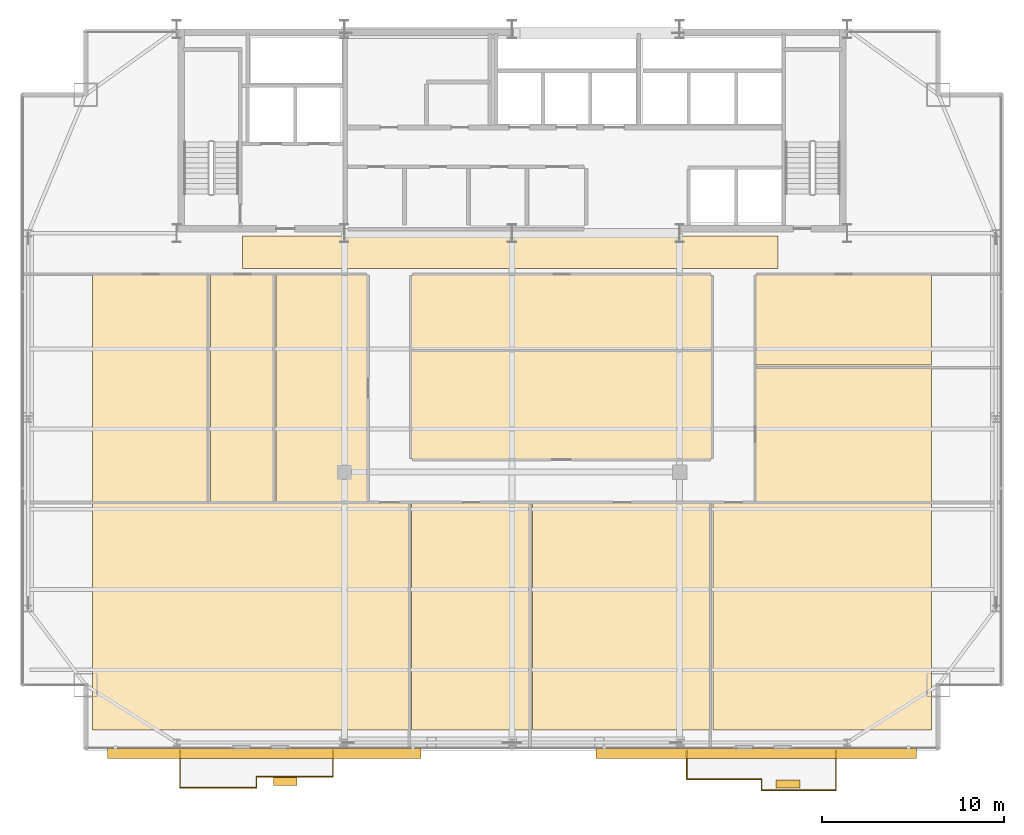
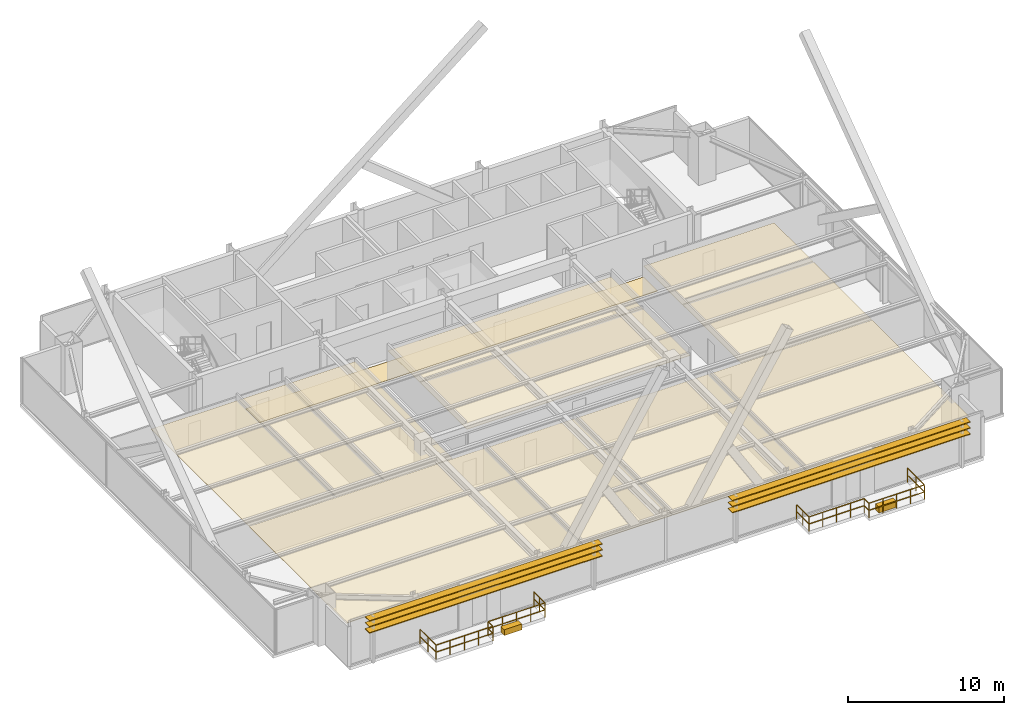
# One storey, part 33 of 34: 14 coverings, 10 railings, 6 shading devices.
"""IFC4 building model written with IfcOpenShell, lengths in metres."""

from ifc_helpers import new_model, si_unit, direction, frame, origin, origin_2d, place, context, subcontext, project, spatial, polyline, rectangle, outline, extrude, source, transform, mapped, material, layer, layer_set, type_object, type_shapes, element, save


model = new_model("IFC4")

# Units and contexts
model_context = context("Model", 3, precision=1e-05, world=origin(), true_north=direction((0.0, 1.0)))
body_context = subcontext(model_context, "Body", "Model", "MODEL_VIEW")
ifc_project = project(units=[si_unit("LENGTHUNIT", "METRE"), si_unit("AREAUNIT", "SQUARE_METRE"), si_unit("VOLUMEUNIT", "CUBIC_METRE"), si_unit("PLANEANGLEUNIT", "RADIAN"), si_unit("MASSUNIT", "GRAM", prefix="KILO")], contexts=[model_context])

# Site, building, storey
site_placement = place(None, origin())
site = spatial("IfcSite", under=ifc_project, at=site_placement, CompositionType="ELEMENT")
building_placement = place(site_placement, origin())
building = spatial("IfcBuilding", under=site, at=building_placement, Name="Varnel Quay Broadcast Tower", CompositionType="ELEMENT")
storey_placement = place(building_placement, frame((0.0, 0.0, 176.199951171875)))
storey = spatial("IfcBuildingStorey", under=building, at=storey_placement, Name="L43", CompositionType="ELEMENT", Elevation=176.199951171875)

# Coverings
ifc_material_1 = material(Name="Micro-Perforated Acoustic Ceiling Tile")
ifc_layer_1 = layer(ifc_material_1, 0.0400390625, Name="Micro-Perforated Acoustic Ceiling Tile")
ifc_layer_set_1 = layer_set([ifc_layer_1], Name="Micro-Perforated Acoustic Ceiling Tile")
covering_type_1 = type_object("IfcCoveringType", Name="Cov_AcousticCeiling", PredefinedType="CEILING", material=ifc_layer_set_1)
covering_1_placement = place(storey_placement, frame((0.0, 0.0, 2.580078125)))
element("IfcCovering", 1, at=covering_1_placement, inside=storey, type_object=covering_type_1, Name="L43 Producer Lounge 1 Acoustic Ceiling", PredefinedType="CEILING", context=body_context, shape_type="SweptSolid", body=[
    extrude(outline(polyline([(10.985107421875, 8.324951171875), (28.4150390625, 8.324951171875), (28.4150390625, 20.784912109375), (10.985107421875, 20.784912109375), (10.985107421875, 8.324951171875)])), origin(), (0.0, 0.0, 1.0), 0.0400390625),
])
covering_2_placement = place(storey_placement, frame((0.0, 0.0, 2.580078125)))
element("IfcCovering", 2, at=covering_2_placement, inside=storey, type_object=covering_type_1, Name="L43 Tea Kitchen 2 Acoustic Ceiling", PredefinedType="CEILING", context=body_context, shape_type="SweptSolid", body=[
    extrude(outline(polyline([(28.485107421875, 8.324951171875), (35.054931640625, 8.324951171875), (35.054931640625, 20.784912109375), (28.485107421875, 20.784912109375), (28.485107421875, 8.324951171875)])), origin(), (0.0, 0.0, 1.0), 0.0400390625),
])
covering_3_placement = place(storey_placement, frame((0.0, 0.0, 2.580078125)))
element("IfcCovering", 3, at=covering_3_placement, inside=storey, type_object=covering_type_1, Name="L43 Media Tape Archive Store 3 Acoustic Ceiling", PredefinedType="CEILING", context=body_context, shape_type="SweptSolid", body=[
    extrude(outline(polyline([(35.125, 8.324951171875), (44.955078125, 8.324951171875), (44.955078125, 20.784912109375), (35.125, 20.784912109375), (35.125, 8.324951171875)])), origin(), (0.0, 0.0, 1.0), 0.0400390625),
])
covering_4_placement = place(storey_placement, frame((0.0, 0.0, 2.580078125)))
element("IfcCovering", 4, at=covering_4_placement, inside=storey, type_object=covering_type_1, Name="L43 Lens & Rigging Store 4 Acoustic Ceiling", PredefinedType="CEILING", context=body_context, shape_type="SweptSolid", body=[
    extrude(outline(polyline([(45.02490234375, 8.324951171875), (57.014892578125, 8.324951171875), (57.014892578125, 20.784912109375), (45.02490234375, 20.784912109375), (45.02490234375, 8.324951171875)])), origin(), (0.0, 0.0, 1.0), 0.0400390625),
])
covering_5_placement = place(storey_placement, frame((0.0, 0.0, 2.580078125)))
element("IfcCovering", 5, at=covering_5_placement, inside=storey, type_object=covering_type_1, Name="L43 Ingest Vault Store 5 Acoustic Ceiling", PredefinedType="CEILING", context=body_context, shape_type="SweptSolid", body=[
    extrude(outline(polyline([(10.985107421875, 20.85498046875), (17.375, 20.85498046875), (17.375, 33.31494140625), (10.985107421875, 33.31494140625), (10.985107421875, 20.85498046875)])), origin(), (0.0, 0.0, 1.0), 0.0400390625),
])
covering_6_placement = place(storey_placement, frame((0.0, 0.0, 2.580078125)))
element("IfcCovering", 6, at=covering_6_placement, inside=storey, type_object=covering_type_1, Name="L43 Color Timing Suite 6 Acoustic Ceiling", PredefinedType="CEILING", context=body_context, shape_type="SweptSolid", body=[
    extrude(outline(polyline([(17.445068359375, 20.85498046875), (20.985107421875, 20.85498046875), (20.985107421875, 33.31494140625), (17.445068359375, 33.31494140625), (17.445068359375, 20.85498046875)])), origin(), (0.0, 0.0, 1.0), 0.0400390625),
])
covering_7_placement = place(storey_placement, frame((0.0, 0.0, 2.580078125)))
element("IfcCovering", 7, at=covering_7_placement, inside=storey, type_object=covering_type_1, Name="L43 Screening Meeting Room 7 Acoustic Ceiling", PredefinedType="CEILING", context=body_context, shape_type="SweptSolid", body=[
    extrude(outline(polyline([(21.054931640625, 20.85498046875), (26.06494140625, 20.85498046875), (26.06494140625, 33.31494140625), (21.054931640625, 33.31494140625), (21.054931640625, 20.85498046875)])), origin(), (0.0, 0.0, 1.0), 0.0400390625),
])
covering_8_placement = place(storey_placement, frame((0.0, 0.0, 2.580078125)))
element("IfcCovering", 8, at=covering_8_placement, inside=storey, type_object=covering_type_1, Name="L43 Producer Lounge 8 Acoustic Ceiling", PredefinedType="CEILING", context=body_context, shape_type="SweptSolid", body=[
    extrude(outline(polyline([(28.485107421875, 23.205078125), (44.955078125, 23.205078125), (44.955078125, 29.215087890625), (28.485107421875, 29.215087890625), (28.485107421875, 23.205078125)])), origin(), (0.0, 0.0, 1.0), 0.0400390625),
])
covering_9_placement = place(storey_placement, frame((0.0, 0.0, 2.580078125)))
element("IfcCovering", 9, at=covering_9_placement, inside=storey, type_object=covering_type_1, Name="L43 Tea Kitchen 9 Acoustic Ceiling", PredefinedType="CEILING", context=body_context, shape_type="SweptSolid", body=[
    extrude(outline(polyline([(28.485107421875, 29.284912109375), (44.955078125, 29.284912109375), (44.955078125, 33.31494140625), (28.485107421875, 33.31494140625), (28.485107421875, 29.284912109375)])), origin(), (0.0, 0.0, 1.0), 0.0400390625),
])
covering_10_placement = place(storey_placement, frame((0.0, 0.0, 2.580078125)))
element("IfcCovering", 10, at=covering_10_placement, inside=storey, type_object=covering_type_1, Name="L43 Media Tape Archive Store 10 Acoustic Ceiling", PredefinedType="CEILING", context=body_context, shape_type="SweptSolid", body=[
    extrude(outline(polyline([(47.375, 20.85498046875), (57.014892578125, 20.85498046875), (57.014892578125, 28.284912109375), (47.375, 28.284912109375), (47.375, 20.85498046875)])), origin(), (0.0, 0.0, 1.0), 0.0400390625),
])
covering_11_placement = place(storey_placement, frame((0.0, 0.0, 2.580078125)))
element("IfcCovering", 11, at=covering_11_placement, inside=storey, type_object=covering_type_1, Name="L43 Lens & Rigging Store 11 Acoustic Ceiling", PredefinedType="CEILING", context=body_context, shape_type="SweptSolid", body=[
    extrude(outline(polyline([(47.375, 28.35498046875), (57.014892578125, 28.35498046875), (57.014892578125, 33.31494140625), (47.375, 33.31494140625), (47.375, 28.35498046875)])), origin(), (0.0, 0.0, 1.0), 0.0400390625),
])
ifc_material_2 = material(Name="Polished Terrazzo & Broadcast Raised Flooring")
ifc_layer_2 = layer(ifc_material_2, 0.0400390625, Name="Polished Terrazzo & Broadcast Raised Flooring")
ifc_layer_set_2 = layer_set([ifc_layer_2], Name="Polished Terrazzo & Broadcast Raised Flooring")
covering_type_2 = type_object("IfcCoveringType", Name="Cov_TerrazzoFloor", PredefinedType="FLOORING", material=ifc_layer_set_2)
covering_12_placement = place(storey_placement, origin())
element("IfcCovering", 12, at=covering_12_placement, inside=storey, type_object=covering_type_2, Name="L43 Corridor Terrazzo Flooring", PredefinedType="FLOORING", context=body_context, shape_type="SweptSolid", body=[
    extrude(outline(polyline([(19.199951171875, 33.64990234375), (48.60009765625, 33.64990234375), (48.60009765625, 35.449951171875), (19.199951171875, 35.449951171875), (19.199951171875, 33.64990234375)])), origin(), (0.0, 0.0, 1.0), 0.0400390625),
])

# Railings
ifc_material_3 = material(Name="Anodised Bronze Aluminium 6063-T6", Category="aluminium")
railing_type = type_object("IfcRailingType", Name="Rail_Balustrade1150", PredefinedType="BALUSTRADE", material=ifc_material_3)
railing_1_placement = place(storey_placement, frame((15.780029296875, 5.173095703125, 0.0)))
element("IfcRailing", 13, at=railing_1_placement, inside=storey, type_object=railing_type, Name="L43 Terrace 1 Guard 1", PredefinedType="BALUSTRADE", context=body_context, shape_type="SweptSolid", body=[
    extrude(rectangle(XDim=0.048095703125, YDim=0.048095703125, at=origin_2d()), frame((0.0, 0.0, 1.1259765625), z_axis=(1.0, 0.0, 0.0), x_axis=(0.0, 1.0, 0.0)), (0.0, 0.0, 1.0), 4.199951171875),
    extrude(rectangle(XDim=0.048095703125, YDim=0.048095703125, at=origin_2d()), frame((0.0, 0.0, 0.574951171875), z_axis=(1.0, 0.0, 0.0), x_axis=(0.0, 1.0, 0.0)), (0.0, 0.0, 1.0), 4.199951171875),
    extrude(rectangle(XDim=0.0419921875, YDim=0.0419921875, at=origin_2d()), origin(), (0.0, 0.0, 1.0), 1.101806640625),
    extrude(rectangle(XDim=0.0419921875, YDim=0.0419921875, at=origin_2d()), frame((1.050048828125, 0.0, 0.0)), (0.0, 0.0, 1.0), 1.101806640625),
    extrude(rectangle(XDim=0.0419921875, YDim=0.0419921875, at=origin_2d()), frame((2.10009765625, 0.0, 0.0)), (0.0, 0.0, 1.0), 1.101806640625),
    extrude(rectangle(XDim=0.0419921875, YDim=0.0419921875, at=origin_2d()), frame((3.14990234375, 0.0, 0.0)), (0.0, 0.0, 1.0), 1.101806640625),
    extrude(rectangle(XDim=0.0419921875, YDim=0.0419921875, at=origin_2d()), frame((4.199951171875, 0.0, 0.0)), (0.0, 0.0, 1.0), 1.101806640625),
])
railing_2_placement = place(storey_placement, frame((19.97998046875, 5.173095703125, 0.0)))
element("IfcRailing", 14, at=railing_2_placement, inside=storey, type_object=railing_type, Name="L43 Terrace 1 Guard 2", PredefinedType="BALUSTRADE", context=body_context, shape_type="SweptSolid", body=[
    extrude(rectangle(XDim=0.048095703125, YDim=0.048095703125, at=origin_2d()), frame((0.0, 0.0, 1.1259765625), z_axis=(0.0, 1.0, 0.0), x_axis=(-1.0, 0.0, 0.0)), (0.0, 0.0, 1.0), 0.599853515625),
    extrude(rectangle(XDim=0.048095703125, YDim=0.048095703125, at=origin_2d()), frame((0.0, 0.0, 0.574951171875), z_axis=(0.0, 1.0, 0.0), x_axis=(-1.0, 0.0, 0.0)), (0.0, 0.0, 1.0), 0.599853515625),
    extrude(rectangle(XDim=0.0419921875, YDim=0.0419921875, at=origin_2d()), origin(), (0.0, 0.0, 1.0), 1.101806640625),
    extrude(rectangle(XDim=0.0419921875, YDim=0.0419921875, at=origin_2d()), frame((0.0, 0.599853515625, 0.0)), (0.0, 0.0, 1.0), 1.101806640625),
])
railing_3_placement = place(storey_placement, frame((19.97998046875, 5.77294921875, 0.0)))
element("IfcRailing", 15, at=railing_3_placement, inside=storey, type_object=railing_type, Name="L43 Terrace 1 Guard 3", PredefinedType="BALUSTRADE", context=body_context, shape_type="SweptSolid", body=[
    extrude(rectangle(XDim=0.048095703125, YDim=0.048095703125, at=origin_2d()), frame((0.0, 0.0, 1.1259765625), z_axis=(1.0, 0.0, 0.0), x_axis=(0.0, 1.0, 0.0)), (0.0, 0.0, 1.0), 4.199951171875),
    extrude(rectangle(XDim=0.048095703125, YDim=0.048095703125, at=origin_2d()), frame((0.0, 0.0, 0.574951171875), z_axis=(1.0, 0.0, 0.0), x_axis=(0.0, 1.0, 0.0)), (0.0, 0.0, 1.0), 4.199951171875),
    extrude(rectangle(XDim=0.0419921875, YDim=0.0419921875, at=origin_2d()), origin(), (0.0, 0.0, 1.0), 1.101806640625),
    extrude(rectangle(XDim=0.0419921875, YDim=0.0419921875, at=origin_2d()), frame((1.050048828125, 0.0, 0.0)), (0.0, 0.0, 1.0), 1.101806640625),
    extrude(rectangle(XDim=0.0419921875, YDim=0.0419921875, at=origin_2d()), frame((2.10009765625, 0.0, 0.0)), (0.0, 0.0, 1.0), 1.101806640625),
    extrude(rectangle(XDim=0.0419921875, YDim=0.0419921875, at=origin_2d()), frame((3.14990234375, 0.0, 0.0)), (0.0, 0.0, 1.0), 1.101806640625),
    extrude(rectangle(XDim=0.0419921875, YDim=0.0419921875, at=origin_2d()), frame((4.199951171875, 0.0, 0.0)), (0.0, 0.0, 1.0), 1.101806640625),
])
railing_4_placement = place(storey_placement, frame((24.179931640625, 5.77294921875, 0.0)))
element("IfcRailing", 16, at=railing_4_placement, inside=storey, type_object=railing_type, Name="L43 Terrace 1 Guard 4", PredefinedType="BALUSTRADE", context=body_context, shape_type="SweptSolid", body=[
    extrude(rectangle(XDim=0.048095703125, YDim=0.048095703125, at=origin_2d()), frame((0.0, 0.0, 1.1259765625), z_axis=(0.0, 1.0, 0.0), x_axis=(-1.0, 0.0, 0.0)), (0.0, 0.0, 1.0), 1.427001953125),
    extrude(rectangle(XDim=0.048095703125, YDim=0.048095703125, at=origin_2d()), frame((0.0, 0.0, 0.574951171875), z_axis=(0.0, 1.0, 0.0), x_axis=(-1.0, 0.0, 0.0)), (0.0, 0.0, 1.0), 1.427001953125),
    extrude(rectangle(XDim=0.0419921875, YDim=0.0419921875, at=origin_2d()), origin(), (0.0, 0.0, 1.0), 1.101806640625),
    extrude(rectangle(XDim=0.0419921875, YDim=0.0419921875, at=origin_2d()), frame((0.0, 0.71337890625, 0.0)), (0.0, 0.0, 1.0), 1.101806640625),
    extrude(rectangle(XDim=0.0419921875, YDim=0.0419921875, at=origin_2d()), frame((0.0, 1.427001953125, 0.0)), (0.0, 0.0, 1.0), 1.101806640625),
])
railing_5_placement = place(storey_placement, frame((15.780029296875, 7.199951171875, 0.0)))
element("IfcRailing", 17, at=railing_5_placement, inside=storey, type_object=railing_type, Name="L43 Terrace 1 Guard 6", PredefinedType="BALUSTRADE", context=body_context, shape_type="SweptSolid", body=[
    extrude(rectangle(XDim=0.048095703125, YDim=0.048095703125, at=origin_2d()), frame((0.0, 0.0, 1.1259765625), z_axis=(0.0, -1.0, 0.0), x_axis=(1.0, 0.0, 0.0)), (0.0, 0.0, 1.0), 2.02685546875),
    extrude(rectangle(XDim=0.048095703125, YDim=0.048095703125, at=origin_2d()), frame((0.0, 0.0, 0.574951171875), z_axis=(0.0, -1.0, 0.0), x_axis=(1.0, 0.0, 0.0)), (0.0, 0.0, 1.0), 2.02685546875),
    extrude(rectangle(XDim=0.0419921875, YDim=0.0419921875, at=origin_2d()), origin(), (0.0, 0.0, 1.0), 1.101806640625),
    extrude(rectangle(XDim=0.0419921875, YDim=0.0419921875, at=origin_2d()), frame((0.0, -1.013427734375, 0.0)), (0.0, 0.0, 1.0), 1.101806640625),
    extrude(rectangle(XDim=0.0419921875, YDim=0.0419921875, at=origin_2d()), frame((0.0, -2.02685546875, 0.0)), (0.0, 0.0, 1.0), 1.101806640625),
])
railing_6_placement = place(storey_placement, frame((43.60009765625, 5.626953125, 0.0)))
element("IfcRailing", 18, at=railing_6_placement, inside=storey, type_object=railing_type, Name="L43 Terrace 2 Guard 1", PredefinedType="BALUSTRADE", context=body_context, shape_type="SweptSolid", body=[
    extrude(rectangle(XDim=0.048095703125, YDim=0.048095703125, at=origin_2d()), frame((0.0, 0.0, 1.1259765625), z_axis=(1.0, 0.0, 0.0), x_axis=(0.0, 1.0, 0.0)), (0.0, 0.0, 1.0), 4.08984375),
    extrude(rectangle(XDim=0.048095703125, YDim=0.048095703125, at=origin_2d()), frame((0.0, 0.0, 0.574951171875), z_axis=(1.0, 0.0, 0.0), x_axis=(0.0, 1.0, 0.0)), (0.0, 0.0, 1.0), 4.08984375),
    extrude(rectangle(XDim=0.0419921875, YDim=0.0419921875, at=origin_2d()), origin(), (0.0, 0.0, 1.0), 1.101806640625),
    extrude(rectangle(XDim=0.0419921875, YDim=0.0419921875, at=origin_2d()), frame((1.0224609375, 0.0, 0.0)), (0.0, 0.0, 1.0), 1.101806640625),
    extrude(rectangle(XDim=0.0419921875, YDim=0.0419921875, at=origin_2d()), frame((2.044921875, 0.0, 0.0)), (0.0, 0.0, 1.0), 1.101806640625),
    extrude(rectangle(XDim=0.0419921875, YDim=0.0419921875, at=origin_2d()), frame((3.0673828125, 0.0, 0.0)), (0.0, 0.0, 1.0), 1.101806640625),
    extrude(rectangle(XDim=0.0419921875, YDim=0.0419921875, at=origin_2d()), frame((4.08984375, 0.0, 0.0)), (0.0, 0.0, 1.0), 1.101806640625),
])
railing_7_placement = place(storey_placement, frame((47.68994140625, 5.626953125, 0.0)))
element("IfcRailing", 19, at=railing_7_placement, inside=storey, type_object=railing_type, Name="L43 Terrace 2 Guard 2", PredefinedType="BALUSTRADE", context=body_context, shape_type="SweptSolid", body=[
    extrude(rectangle(XDim=0.048095703125, YDim=0.048095703125, at=origin_2d()), frame((0.0, 0.0, 1.1259765625), z_axis=(0.0, -1.0, 0.0), x_axis=(1.0, 0.0, 0.0)), (0.0, 0.0, 1.0), 0.599853515625),
    extrude(rectangle(XDim=0.048095703125, YDim=0.048095703125, at=origin_2d()), frame((0.0, 0.0, 0.574951171875), z_axis=(0.0, -1.0, 0.0), x_axis=(1.0, 0.0, 0.0)), (0.0, 0.0, 1.0), 0.599853515625),
    extrude(rectangle(XDim=0.0419921875, YDim=0.0419921875, at=origin_2d()), origin(), (0.0, 0.0, 1.0), 1.101806640625),
    extrude(rectangle(XDim=0.0419921875, YDim=0.0419921875, at=origin_2d()), frame((0.0, -0.599853515625, 0.0)), (0.0, 0.0, 1.0), 1.101806640625),
])
railing_8_placement = place(storey_placement, frame((47.68994140625, 5.027099609375, 0.0)))
element("IfcRailing", 20, at=railing_8_placement, inside=storey, type_object=railing_type, Name="L43 Terrace 2 Guard 3", PredefinedType="BALUSTRADE", context=body_context, shape_type="SweptSolid", body=[
    extrude(rectangle(XDim=0.048095703125, YDim=0.048095703125, at=origin_2d()), frame((0.0, 0.0, 1.1259765625), z_axis=(1.0, 0.0, 0.0), x_axis=(0.0, 1.0, 0.0)), (0.0, 0.0, 1.0), 4.090087890625),
    extrude(rectangle(XDim=0.048095703125, YDim=0.048095703125, at=origin_2d()), frame((0.0, 0.0, 0.574951171875), z_axis=(1.0, 0.0, 0.0), x_axis=(0.0, 1.0, 0.0)), (0.0, 0.0, 1.0), 4.090087890625),
    extrude(rectangle(XDim=0.0419921875, YDim=0.0419921875, at=origin_2d()), origin(), (0.0, 0.0, 1.0), 1.101806640625),
    extrude(rectangle(XDim=0.0419921875, YDim=0.0419921875, at=origin_2d()), frame((1.0224609375, 0.0, 0.0)), (0.0, 0.0, 1.0), 1.101806640625),
    extrude(rectangle(XDim=0.0419921875, YDim=0.0419921875, at=origin_2d()), frame((2.044921875, 0.0, 0.0)), (0.0, 0.0, 1.0), 1.101806640625),
    extrude(rectangle(XDim=0.0419921875, YDim=0.0419921875, at=origin_2d()), frame((3.067626953125, 0.0, 0.0)), (0.0, 0.0, 1.0), 1.101806640625),
    extrude(rectangle(XDim=0.0419921875, YDim=0.0419921875, at=origin_2d()), frame((4.090087890625, 0.0, 0.0)), (0.0, 0.0, 1.0), 1.101806640625),
])
railing_9_placement = place(storey_placement, frame((51.780029296875, 5.027099609375, 0.0)))
element("IfcRailing", 21, at=railing_9_placement, inside=storey, type_object=railing_type, Name="L43 Terrace 2 Guard 4", PredefinedType="BALUSTRADE", context=body_context, shape_type="SweptSolid", body=[
    extrude(rectangle(XDim=0.048095703125, YDim=0.048095703125, at=origin_2d()), frame((0.0, 0.0, 1.1259765625), z_axis=(0.0, 1.0, 0.0), x_axis=(-1.0, 0.0, 0.0)), (0.0, 0.0, 1.0), 2.1728515625),
    extrude(rectangle(XDim=0.048095703125, YDim=0.048095703125, at=origin_2d()), frame((0.0, 0.0, 0.574951171875), z_axis=(0.0, 1.0, 0.0), x_axis=(-1.0, 0.0, 0.0)), (0.0, 0.0, 1.0), 2.1728515625),
    extrude(rectangle(XDim=0.0419921875, YDim=0.0419921875, at=origin_2d()), origin(), (0.0, 0.0, 1.0), 1.101806640625),
    extrude(rectangle(XDim=0.0419921875, YDim=0.0419921875, at=origin_2d()), frame((0.0, 1.08642578125, 0.0)), (0.0, 0.0, 1.0), 1.101806640625),
    extrude(rectangle(XDim=0.0419921875, YDim=0.0419921875, at=origin_2d()), frame((0.0, 2.1728515625, 0.0)), (0.0, 0.0, 1.0), 1.101806640625),
])
railing_10_placement = place(storey_placement, frame((43.60009765625, 7.199951171875, 0.0)))
element("IfcRailing", 22, at=railing_10_placement, inside=storey, type_object=railing_type, Name="L43 Terrace 2 Guard 6", PredefinedType="BALUSTRADE", context=body_context, shape_type="SweptSolid", body=[
    extrude(rectangle(XDim=0.048095703125, YDim=0.048095703125, at=origin_2d()), frame((0.0, 0.0, 1.1259765625), z_axis=(0.0, -1.0, 0.0), x_axis=(1.0, 0.0, 0.0)), (0.0, 0.0, 1.0), 1.572998046875),
    extrude(rectangle(XDim=0.048095703125, YDim=0.048095703125, at=origin_2d()), frame((0.0, 0.0, 0.574951171875), z_axis=(0.0, -1.0, 0.0), x_axis=(1.0, 0.0, 0.0)), (0.0, 0.0, 1.0), 1.572998046875),
    extrude(rectangle(XDim=0.0419921875, YDim=0.0419921875, at=origin_2d()), origin(), (0.0, 0.0, 1.0), 1.101806640625),
    extrude(rectangle(XDim=0.0419921875, YDim=0.0419921875, at=origin_2d()), frame((0.0, -0.78662109375, 0.0)), (0.0, 0.0, 1.0), 1.101806640625),
    extrude(rectangle(XDim=0.0419921875, YDim=0.0419921875, at=origin_2d()), frame((0.0, -1.572998046875, 0.0)), (0.0, 0.0, 1.0), 1.101806640625),
])

# Coverings
ifc_material_4 = material(Name="Bronze-Terracotta Extruded Ceramic Blade", Category="masonry")
ifc_layer_3 = layer(ifc_material_4, 0.449951171875, Name="Bronze-Terracotta Extruded Ceramic Blade")
ifc_layer_set_3 = layer_set([ifc_layer_3], Name="Bronze-Terracotta Extruded Ceramic Blade")
covering_type_3 = type_object("IfcCoveringType", Name="Cov_BronzePlanter", PredefinedType="CLADDING", material=ifc_layer_set_3)
shared_shape_1 = source(origin(), body_context, "Body", "SweptSolid", [
    extrude(rectangle(XDim=1.300048828125, YDim=0.449951171875, at=origin_2d()), origin(), (0.0, 0.0, 1.0), 0.449951171875),
])
type_shapes(covering_type_3, [shared_shape_1])
for number, where, z_axis, x_axis, name in (
    (23, (21.550048828125, 5.52294921875, 0.0), (0.0, 0.0, 1.0), (1.0, 0.0, 0.0), "L43 Terrace 1 Bronze Planter"),
    (24, (49.14990234375, 5.376953125, 0.0), (0.0, 0.0, 1.0), (1.0, 0.0, 0.0), "L43 Terrace 2 Bronze Planter"),
):
    element("IfcCovering", number, at=place(storey_placement, frame(where, z_axis=z_axis, x_axis=x_axis)), inside=storey, type_object=covering_type_3, Name=name, PredefinedType="CLADDING", context=body_context, shape_type="MappedRepresentation", body=[
        mapped(shared_shape_1, transform((0.0, 0.0, 0.0), x_axis=(1.0, 0.0, 0.0), y_axis=(0.0, 1.0, 0.0), z_axis=(0.0, 0.0, 1.0), scale=1.0)),
    ])

# Shading devices
ifc_layer_4 = layer(ifc_material_4, 0.06494140625, Name="Bronze-Terracotta Extruded Ceramic Blade")
ifc_layer_set_4 = layer_set([ifc_layer_4], Name="Bronze-Terracotta Extruded Ceramic Blade")
shading_device_type = type_object("IfcShadingDeviceType", Name="Shade_LouvreBlade550", PredefinedType="JALOUSIE", material=ifc_layer_set_4)
shared_shape_2 = source(origin(), body_context, "Body", "SweptSolid", [
    extrude(rectangle(XDim=17.5869140625, YDim=0.550048828125, at=origin_2d()), origin(), (0.0, 0.0, 1.0), 0.06494140625),
])
for number, where, z_axis, x_axis, name in (
    (25, (47.406982421875, 7.06005859375, 2.447509765625), (0.0, 0.0, 1.0), (1.0, 0.0, 0.0), "L43 Lobe 2 Horizontal Louvre Blade 1"),
    (26, (47.406982421875, 7.06005859375, 2.927490234375), (0.0, 0.0, 1.0), (1.0, 0.0, 0.0), "L43 Lobe 2 Horizontal Louvre Blade 2"),
    (27, (47.406982421875, 7.06005859375, 3.3876953125), (0.0, 0.0, 1.0), (1.0, 0.0, 0.0), "L43 Lobe 2 Horizontal Louvre Blade 3"),
):
    element("IfcShadingDevice", number, at=place(storey_placement, frame(where, z_axis=z_axis, x_axis=x_axis)), inside=storey, type_object=shading_device_type, Name=name, PredefinedType="JALOUSIE", context=body_context, shape_type="MappedRepresentation", body=[
        mapped(shared_shape_2, transform((0.0, 0.0, 0.0), x_axis=(1.0, 0.0, 0.0), y_axis=(0.0, 1.0, 0.0), z_axis=(0.0, 0.0, 1.0), scale=1.0)),
    ])
shared_shape_3 = source(origin(), body_context, "Body", "SweptSolid", [
    extrude(rectangle(XDim=17.212890625, YDim=0.550048828125, at=origin_2d()), origin(), (0.0, 0.0, 1.0), 0.06494140625),
])
type_shapes(shading_device_type, [shared_shape_2, shared_shape_3])
for number, where, z_axis, x_axis, name in (
    (28, (20.406982421875, 7.06005859375, 2.447509765625), (0.0, 0.0, 1.0), (1.0, 0.0, 0.0), "L43 Lobe 1 Horizontal Louvre Blade 1"),
    (29, (20.406982421875, 7.06005859375, 2.927490234375), (0.0, 0.0, 1.0), (1.0, 0.0, 0.0), "L43 Lobe 1 Horizontal Louvre Blade 2"),
    (30, (20.406982421875, 7.06005859375, 3.3876953125), (0.0, 0.0, 1.0), (1.0, 0.0, 0.0), "L43 Lobe 1 Horizontal Louvre Blade 3"),
):
    element("IfcShadingDevice", number, at=place(storey_placement, frame(where, z_axis=z_axis, x_axis=x_axis)), inside=storey, type_object=shading_device_type, Name=name, PredefinedType="JALOUSIE", context=body_context, shape_type="MappedRepresentation", body=[
        mapped(shared_shape_3, transform((0.0, 0.0, 0.0), x_axis=(1.0, 0.0, 0.0), y_axis=(0.0, 1.0, 0.0), z_axis=(0.0, 0.0, 1.0), scale=1.0)),
    ])

save(model, "model.ifc")
